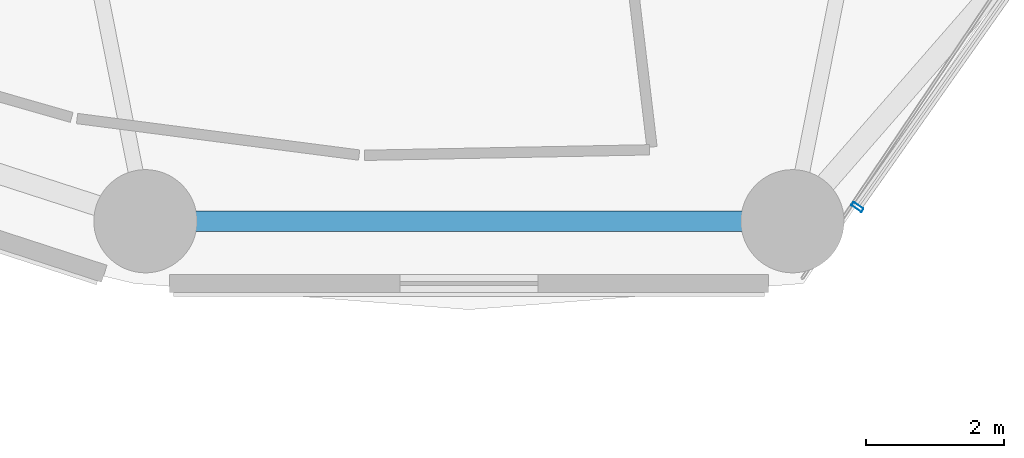
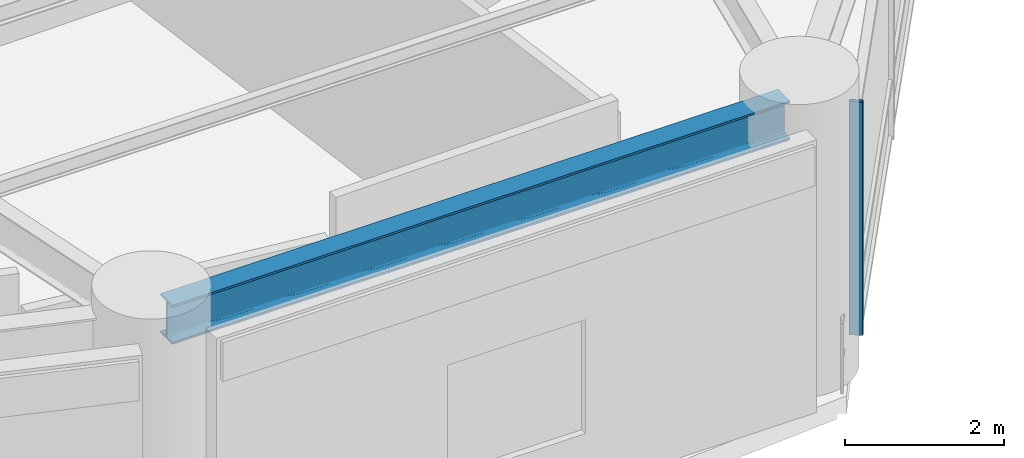
# One storey, part 18 of 55: 1 beam, 1 member, 1 element without a shape of its own.
"""IFC4 building model written with IfcOpenShell, lengths in metres."""

from ifc_helpers import new_model, si_unit, direction, frame, origin, origin_2d, place, context, subcontext, project, spatial, hollow_rectangle, i_section, extrude, material, layer, layer_set, material_profile, profile_set, type_object, element, aggregate, save


model = new_model("IFC4")

# Units and contexts
model_context = context("Model", 3, precision=1e-05, world=origin(), true_north=direction((0.0, 1.0)))
body_context = subcontext(model_context, "Body", "Model", "MODEL_VIEW")
ifc_project = project(units=[si_unit("LENGTHUNIT", "METRE"), si_unit("AREAUNIT", "SQUARE_METRE"), si_unit("VOLUMEUNIT", "CUBIC_METRE"), si_unit("PLANEANGLEUNIT", "RADIAN"), si_unit("MASSUNIT", "GRAM", prefix="KILO")], contexts=[model_context])

# Site, building, storey
site_placement = place(None, origin())
site = spatial("IfcSite", under=ifc_project, at=site_placement, CompositionType="ELEMENT")
building_placement = place(site_placement, origin())
building = spatial("IfcBuilding", under=site, at=building_placement, Name="Kelanora Arch Commons", CompositionType="ELEMENT")
storey_placement = place(building_placement, frame((0.0, 0.0, 4.5)))
storey = spatial("IfcBuildingStorey", under=building, at=storey_placement, Name="L01", CompositionType="ELEMENT", Elevation=4.5)

# Beam
ifc_material_1 = material(Name="Steel S355", Category="steel")
ifc_material_profile_1 = material_profile(ifc_material_1, i_section(OverallWidth=0.300048828125, OverallDepth=0.60009765625, WebThickness=0.015380859375, FlangeThickness=0.030029296875, FilletRadius=0.027099609375, at=origin_2d()), Name="HEB600")
ifc_profile_set_1 = profile_set([ifc_material_profile_1], Name="Steel S355")
beam_type = type_object("IfcBeamType", Name="BM-SPN-Z1", PredefinedType="SPANDREL", material=ifc_profile_set_1)
beam_placement = place(storey_placement, frame((69.517578125, 34.285888671875, 3.89990234375), z_axis=(1.0, 0.0, 0.0), x_axis=(0.0, 1.0, 0.0)))
element("IfcBeam", 1, at=beam_placement, inside=storey, type_object=beam_type, Name="Perimeter Spandrel Beam BS-26 L01", PredefinedType="SPANDREL", context=body_context, shape_type="SweptSolid", body=[
    extrude(i_section(OverallWidth=0.300048828125, OverallDepth=0.60009765625, WebThickness=0.015380859375, FlangeThickness=0.030029296875, FilletRadius=0.027099609375, at=origin_2d()), origin(), (0.0, 0.0, 1.0), 8.96484375),
])

# Curtain wall, member
ifc_material_2 = material(Name="Terracotta ceramic-fritted low-E glass and aluminium", Category="masonry")
ifc_layer = layer(ifc_material_2, 0.2099609375)
ifc_layer_set = layer_set([ifc_layer], Name="Terracotta ceramic-fritted low-E glass and aluminium")
curtain_wall_type = type_object("IfcCurtainWallType", Name="CW-SYS-04", PredefinedType="NOTDEFINED", material=ifc_layer_set)
curtain_wall_placement = place(storey_placement, origin())
curtain_wall = element("IfcCurtainWall", 2, at=curtain_wall_placement, inside=storey, type_object=curtain_wall_type, Name="Unitised Curtain Wall L01-B14", PredefinedType="NOTDEFINED")
ifc_material_3 = material(Name="Powder-coated aluminium terracotta", Category="masonry")
ifc_material_profile_2 = material_profile(ifc_material_3, hollow_rectangle(XDim=0.179931640625, YDim=0.06005859375, WallThickness=0.0048828125, InnerFilletRadius=0.0048828125, OuterFilletRadius=0.010009765625, at=origin_2d()), Name="CWM180x60")
ifc_profile_set_2 = profile_set([ifc_material_profile_2], Name="Powder-coated aluminium terracotta")
member_type = type_object("IfcMemberType", Name="CWM-HVY", PredefinedType="MULLION", material=ifc_profile_set_2)
member_placement = place(storey_placement, frame((79.64697265625, 34.49267578125, 0.0), z_axis=(0.0, 0.0, 1.0), x_axis=(-0.817206133555, 0.576345499922, 0.0)))
member = element("IfcMember", 3, at=member_placement, type_object=member_type, Name="CW-04 mullion 1", PredefinedType="MULLION", context=body_context, shape_type="SweptSolid", body=[
    extrude(hollow_rectangle(XDim=0.179931640625, YDim=0.06005859375, WallThickness=0.0048828125, InnerFilletRadius=0.0048828125, OuterFilletRadius=0.010009765625, at=origin_2d()), origin(), (0.0, 0.0, 1.0), 3.580078125),
])
aggregate(curtain_wall, [member])

save(model, "model.ifc")
